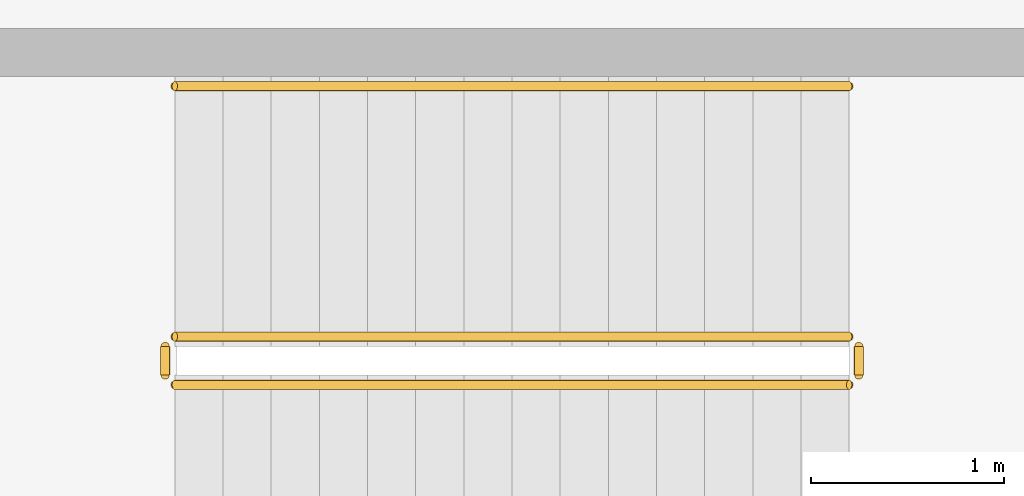
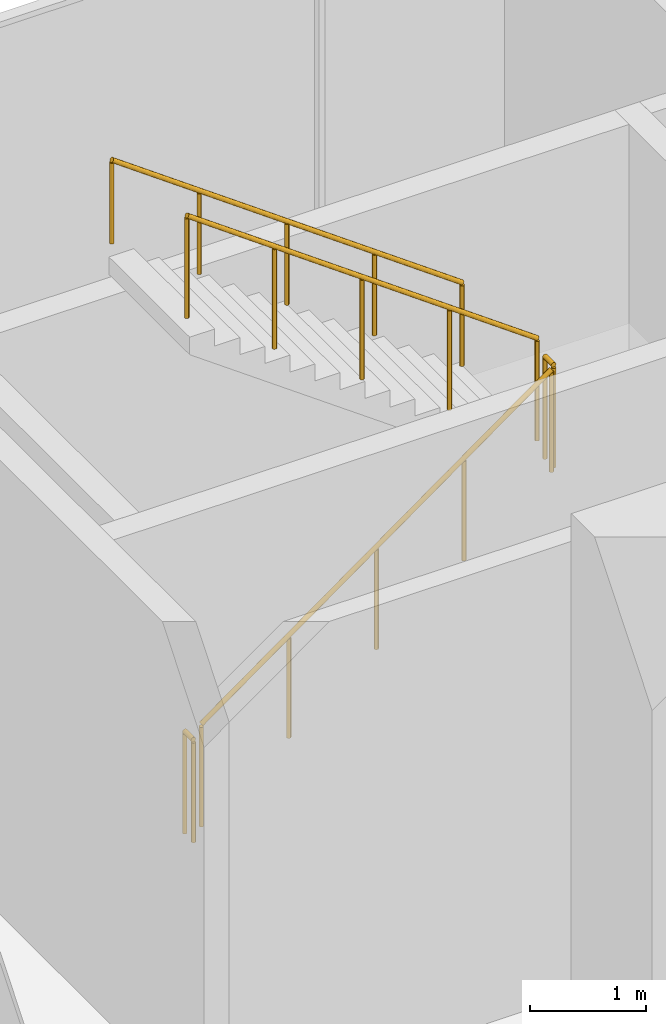
# One storey, part 23 of 23: 5 railings.
"""IFC4 building model written with IfcOpenShell, lengths in metres."""

from ifc_helpers import new_model, si_unit, direction, frame, origin, origin_2d, place, context, subcontext, project, spatial, circle, extrude, source, transform, mapped, material, type_object, element, save


model = new_model("IFC4")

# Units and contexts
model_context = context("Model", 3, precision=1e-05, world=origin(), true_north=direction((0.0, 1.0)))
body_context = subcontext(model_context, "Body", "Model", "MODEL_VIEW")
ifc_project = project(units=[si_unit("LENGTHUNIT", "METRE"), si_unit("AREAUNIT", "SQUARE_METRE"), si_unit("VOLUMEUNIT", "CUBIC_METRE"), si_unit("PLANEANGLEUNIT", "RADIAN"), si_unit("MASSUNIT", "GRAM", prefix="KILO")], contexts=[model_context])

# Site, building, storey
site_placement = place(None, origin())
site = spatial("IfcSite", under=ifc_project, at=site_placement, CompositionType="ELEMENT")
building_placement = place(site_placement, origin())
building = spatial("IfcBuilding", under=site, at=building_placement, Name="Aurelian Terraces", CompositionType="ELEMENT")
storey_placement = place(building_placement, frame((0.0, 0.0, 18.3)))
storey = spatial("IfcBuildingStorey", under=building, at=storey_placement, Name="L03", CompositionType="ELEMENT", Elevation=18.3)

# Railings
ifc_material = material(Name="Stainless steel", Category="steel")
railing_type_1 = type_object("IfcRailingType", Name="Stair guard 1100", PredefinedType="GUARDRAIL", material=ifc_material)
shared_shape_1 = source(origin(), body_context, "Body", "SweptSolid", [
    extrude(circle(Radius=0.024, at=origin_2d()), frame((0.0, 0.0, 1.076), z_axis=(0.0, 1.0, 0.0), x_axis=(-1.0, 0.0, 0.0)), (0.0, 0.0, 1.0), 0.15),
    extrude(circle(Radius=0.021, at=origin_2d()), origin(), (0.0, 0.0, 1.0), 1.052),
    extrude(circle(Radius=0.021, at=origin_2d()), frame((0.0, 0.15, 0.0)), (0.0, 0.0, 1.0), 1.052),
])
for number, where, name in (
    (1, (5.65, 66.05, 2.7), "L03 S5 stair guard 2"),
    (2, (2.05, 66.05, 0.0), "L03 S5 stair guard 4"),
):
    element("IfcRailing", number, at=place(storey_placement, frame(where)), inside=storey, type_object=railing_type_1, Name=name, PredefinedType="GUARDRAIL", context=body_context, shape_type="MappedRepresentation", body=[
        mapped(shared_shape_1, transform((0.0, 0.0, 0.0), scale=1.0)),
    ])
shared_shape_2 = source(origin(), body_context, "Body", "SweptSolid", [
    extrude(circle(Radius=0.024, at=origin_2d()), frame((0.0, 0.0, 1.076), z_axis=(0.811534341451, 0.0, 0.584304725845), x_axis=(0.0, 1.0, 0.0)), (0.0, 0.0, 1.0), 4.3128),
    extrude(circle(Radius=0.021, at=origin_2d()), origin(), (0.0, 0.0, 1.0), 1.052),
    extrude(circle(Radius=0.021, at=origin_2d()), frame((0.875, 0.0, 0.63)), (0.0, 0.0, 1.0), 1.052),
    extrude(circle(Radius=0.021, at=origin_2d()), frame((1.75, 0.0, 1.26)), (0.0, 0.0, 1.0), 1.052),
    extrude(circle(Radius=0.021, at=origin_2d()), frame((2.625, 0.0, 1.89)), (0.0, 0.0, 1.0), 1.052),
    extrude(circle(Radius=0.021, at=origin_2d()), frame((3.5, 0.0, 2.52)), (0.0, 0.0, 1.0), 1.052),
])
railing_1_placement = place(storey_placement, frame((2.1, 66.0, 0.18)))
element("IfcRailing", 3, at=railing_1_placement, inside=storey, type_object=railing_type_1, Name="L03 S5 stair guard 1", PredefinedType="GUARDRAIL", context=body_context, shape_type="MappedRepresentation", body=[
    mapped(shared_shape_2, transform((0.0, 0.0, 0.0), scale=1.0)),
])
shared_shape_3 = source(origin(), body_context, "Body", "SweptSolid", [
    extrude(circle(Radius=0.024, at=origin_2d()), frame((0.0, 0.0, 1.076), z_axis=(-0.811534341451, 0.0, 0.584304725845), x_axis=(0.0, -1.0, 0.0)), (0.0, 0.0, 1.0), 4.3128),
    extrude(circle(Radius=0.021, at=origin_2d()), origin(), (0.0, 0.0, 1.0), 1.052),
    extrude(circle(Radius=0.021, at=origin_2d()), frame((-0.875, 0.0, 0.63)), (0.0, 0.0, 1.0), 1.052),
    extrude(circle(Radius=0.021, at=origin_2d()), frame((-1.75, 0.0, 1.26)), (0.0, 0.0, 1.0), 1.052),
    extrude(circle(Radius=0.021, at=origin_2d()), frame((-2.625, 0.0, 1.89)), (0.0, 0.0, 1.0), 1.052),
    extrude(circle(Radius=0.021, at=origin_2d()), frame((-3.5, 0.0, 2.52)), (0.0, 0.0, 1.0), 1.052),
])
railing_2_placement = place(storey_placement, frame((5.6, 66.25, 2.88)))
element("IfcRailing", 4, at=railing_2_placement, inside=storey, type_object=railing_type_1, Name="L03 S5 stair guard 3", PredefinedType="GUARDRAIL", context=body_context, shape_type="MappedRepresentation", body=[
    mapped(shared_shape_3, transform((0.0, 0.0, 0.0), scale=1.0)),
])
railing_type_2 = type_object("IfcRailingType", Name="Stair handrail", PredefinedType="HANDRAIL", material=ifc_material)
shared_shape_4 = source(origin(), body_context, "Body", "SweptSolid", [
    extrude(circle(Radius=0.024, at=origin_2d()), frame((0.0, 0.0, 0.876), z_axis=(-0.811534341451, 0.0, 0.584304725845), x_axis=(0.0, -1.0, 0.0)), (0.0, 0.0, 1.0), 4.3128),
    extrude(circle(Radius=0.021, at=origin_2d()), origin(), (0.0, 0.0, 1.0), 0.852),
    extrude(circle(Radius=0.021, at=origin_2d()), frame((-0.875, 0.0, 0.63)), (0.0, 0.0, 1.0), 0.852),
    extrude(circle(Radius=0.021, at=origin_2d()), frame((-1.75, 0.0, 1.26)), (0.0, 0.0, 1.0), 0.852),
    extrude(circle(Radius=0.021, at=origin_2d()), frame((-2.625, 0.0, 1.89)), (0.0, 0.0, 1.0), 0.852),
    extrude(circle(Radius=0.021, at=origin_2d()), frame((-3.5, 0.0, 2.52)), (0.0, 0.0, 1.0), 0.852),
])
railing_3_placement = place(storey_placement, frame((5.6, 67.55, 2.88)))
element("IfcRailing", 5, at=railing_3_placement, inside=storey, type_object=railing_type_2, Name="L03 S5 stair handrail 2", PredefinedType="HANDRAIL", context=body_context, shape_type="MappedRepresentation", body=[
    mapped(shared_shape_4, transform((0.0, 0.0, 0.0), scale=1.0)),
])

save(model, "model.ifc")
